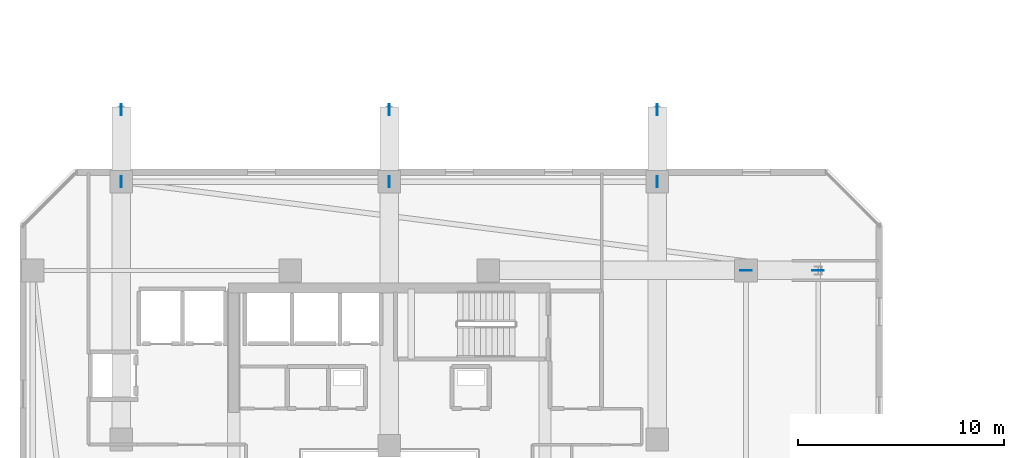
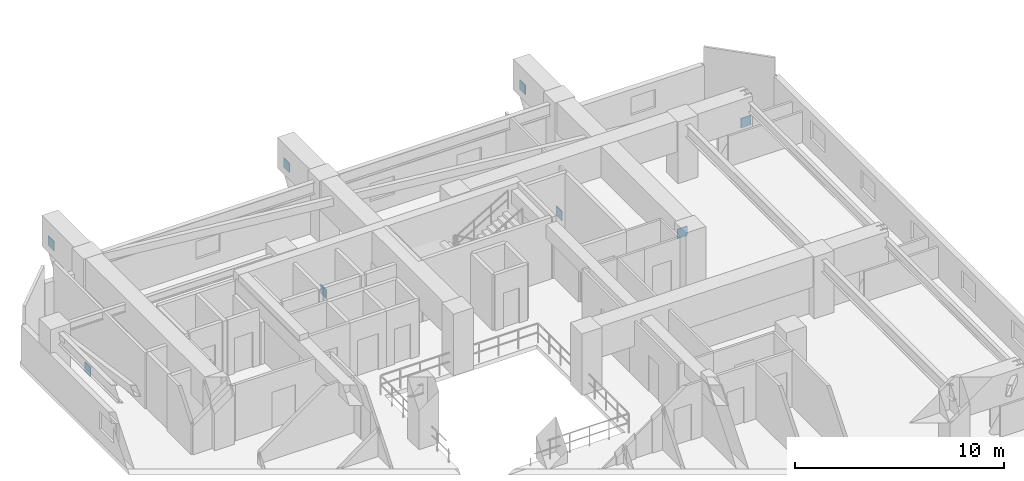
# One storey, part 20 of 36: 8 plates.
"""IFC4 building model written with IfcOpenShell, lengths in metres."""

from ifc_helpers import new_model, si_unit, direction, frame, origin, origin_2d, place, context, subcontext, project, spatial, rectangle, extrude, material, layer, layer_set, type_object, element, save


model = new_model("IFC4")

# Units and contexts
model_context = context("Model", 3, precision=1e-05, world=origin(), true_north=direction((0.0, 1.0)))
body_context = subcontext(model_context, "Body", "Model", "MODEL_VIEW")
ifc_project = project(units=[si_unit("LENGTHUNIT", "METRE"), si_unit("AREAUNIT", "SQUARE_METRE"), si_unit("VOLUMEUNIT", "CUBIC_METRE"), si_unit("PLANEANGLEUNIT", "RADIAN"), si_unit("MASSUNIT", "GRAM", prefix="KILO")], contexts=[model_context])

# Site, building, storey
site_placement = place(None, origin())
site = spatial("IfcSite", under=ifc_project, at=site_placement, CompositionType="ELEMENT")
building_placement = place(site_placement, origin())
building = spatial("IfcBuilding", under=site, at=building_placement, Name="Thornwick Lancets Civic Towers", CompositionType="ELEMENT")
storey_placement = place(building_placement, frame((0.0, 0.0, 170.699951171875)))
storey = spatial("IfcBuildingStorey", under=building, at=storey_placement, Name="L45", CompositionType="ELEMENT", Elevation=170.699951171875)

# Plates
ifc_material = material(Name="Steel S460M", Category="steel")
ifc_layer = layer(ifc_material, 0.0400390625, Name="Steel S460M")
ifc_layer_set = layer_set([ifc_layer], Name="Steel S460M")
plate_type = type_object("IfcPlateType", Name="PLT_GUSSET_40", PredefinedType="USERDEFINED", material=ifc_layer_set)
for number, where, z_axis, x_axis, name in (
    (1, (42.800048828125, 40.0, -3.625), (0.0, 0.0, 1.0), (1.0, 0.0, 0.0), "L45 Brace Connection Gusset Plate 0267"),
    (2, (46.300048828125, 40.0, 1.60498046875), (0.0, 0.0, 1.0), (1.0, 0.0, 0.0), "L45 Brace Connection Gusset Plate 0268"),
    (3, (12.5, 44.300048828125, -3.625), (0.0, 0.0, 1.0), (0.0, 1.0, 0.0), "L45 Brace Connection Gusset Plate 0269"),
    (4, (12.5, 47.800048828125, 1.60498046875), (0.0, 0.0, 1.0), (0.0, 1.0, 0.0), "L45 Brace Connection Gusset Plate 0270"),
    (5, (25.5, 44.300048828125, -3.625), (0.0, 0.0, 1.0), (0.0, 1.0, 0.0), "L45 Brace Connection Gusset Plate 0271"),
    (6, (25.5, 47.800048828125, 1.60498046875), (0.0, 0.0, 1.0), (0.0, 1.0, 0.0), "L45 Brace Connection Gusset Plate 0272"),
    (7, (38.5, 44.300048828125, -3.625), (0.0, 0.0, 1.0), (0.0, 1.0, 0.0), "L45 Brace Connection Gusset Plate 0273"),
    (8, (38.5, 47.800048828125, 1.60498046875), (0.0, 0.0, 1.0), (0.0, 1.0, 0.0), "L45 Brace Connection Gusset Plate 0274"),
):
    element("IfcPlate", number, at=place(storey_placement, frame(where, z_axis=z_axis, x_axis=x_axis)), inside=storey, type_object=plate_type, Name=name, ObjectType="GUSSET_PLATE", PredefinedType="USERDEFINED", context=body_context, shape_type="SweptSolid", body=[
        extrude(rectangle(XDim=0.550048828125, YDim=0.0400390625, at=origin_2d()), origin(), (0.0, 0.0, 1.0), 0.550048828125),
    ])

save(model, "model.ifc")
